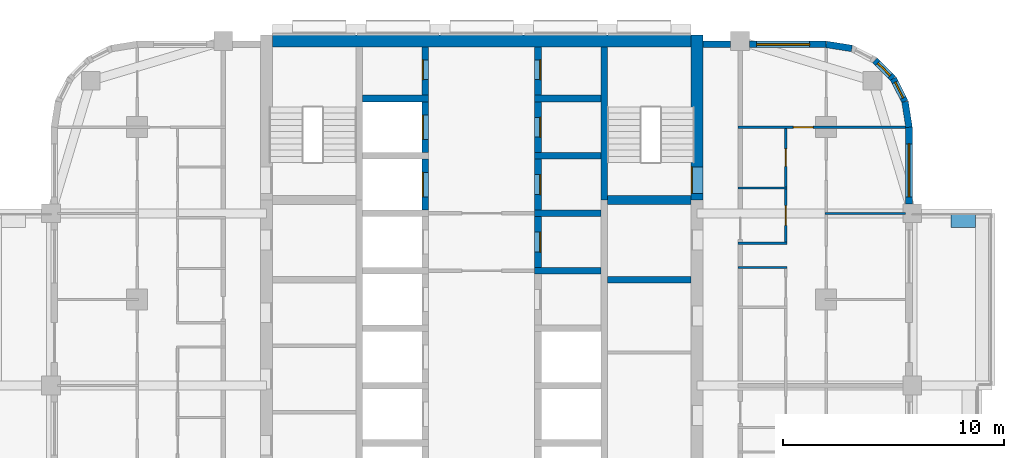
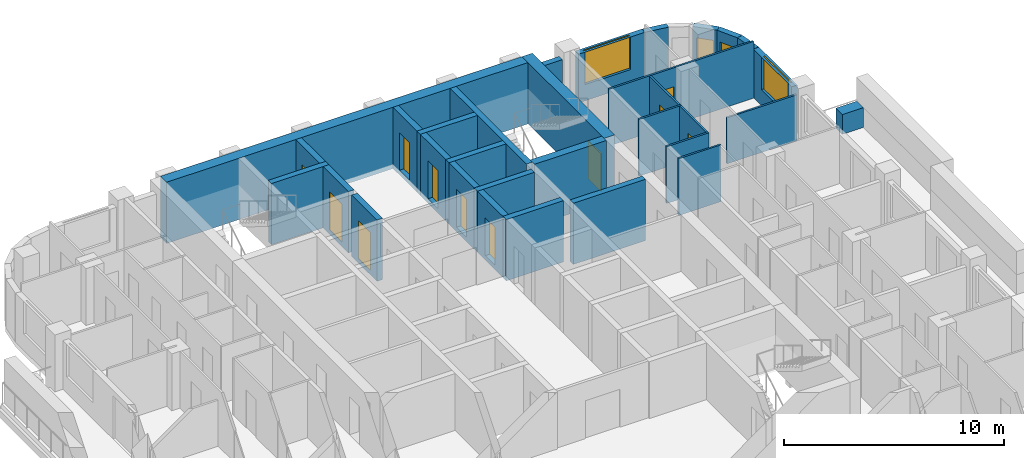
# One storey, part 9 of 14: 31 walls, 11 doors, 4 windows, 15 openings.
"""IFC4 building model written with IfcOpenShell, lengths in metres."""

from ifc_helpers import new_model, si_unit, direction, frame, frame_2d, origin, place, context, subcontext, project, spatial, rectangle, extrude, material, layer, layer_set, type_object, element, fill, save


model = new_model("IFC4")

# Units and contexts
model_context = context("Model", 3, precision=1e-05, world=origin(), true_north=direction((0.0, 1.0)))
body_context = subcontext(model_context, "Body", "Model", "MODEL_VIEW")
ifc_project = project(units=[si_unit("LENGTHUNIT", "METRE"), si_unit("AREAUNIT", "SQUARE_METRE"), si_unit("VOLUMEUNIT", "CUBIC_METRE"), si_unit("PLANEANGLEUNIT", "RADIAN"), si_unit("MASSUNIT", "GRAM", prefix="KILO")], contexts=[model_context])

# Site, building, storey
site_placement = place(None, origin())
site = spatial("IfcSite", under=ifc_project, at=site_placement, CompositionType="ELEMENT")
building_placement = place(site_placement, origin())
building = spatial("IfcBuilding", under=site, at=building_placement, Name="Ludao Terraces", CompositionType="ELEMENT")
storey_placement = place(building_placement, frame((0.0, 0.0, 103.300048828125)))
storey = spatial("IfcBuildingStorey", under=building, at=storey_placement, Name="L28", CompositionType="ELEMENT", Elevation=103.300048828125)

# Wall, opening, door
ifc_material_1 = material(Name="Concrete C60", Category="concrete")
ifc_layer_1 = layer(ifc_material_1, 0.550048828125)
ifc_layer_set_1 = layer_set([ifc_layer_1], Name="Core wall 550 C60")
wall_type_1 = type_object("IfcWallType", Name="Core wall 550 C60", PredefinedType="SOLIDWALL", material=ifc_layer_set_1)
wall_1_placement = place(storey_placement, frame((94.75, 77.300048828125, -0.25), z_axis=(0.0, 0.0, 1.0), x_axis=(0.0, 1.0, 0.0)))
wall_1 = element("IfcWall", 1, at=wall_1_placement, inside=storey, type_object=wall_type_1, Name="Core wall L28 outer-E-S2", PredefinedType="SOLIDWALL", context=body_context, shape_type="SweptSolid", body=[
    extrude(rectangle(XDim=7.474853515625, YDim=0.550048828125, at=frame_2d((3.7373046875, 0.0))), origin(), (0.0, 0.0, 1.0), 3.39990234375),
])
opening_1_placement = place(wall_1_placement, frame((0.300048828125, 0.0, 0.25)))
opening_1 = element("IfcOpeningElement", 2, at=opening_1_placement, cuts=wall_1, Name="Opening R08-089", PredefinedType="OPENING", context=body_context, shape_type="SweptSolid", body=[
    extrude(rectangle(XDim=1.199951171875, YDim=2.10009765625, at=frame_2d((0.60009765625, 1.050048828125))), frame((0.0, 0.28515625, 0.0), z_axis=(0.0, -1.0, 0.0), x_axis=(1.0, 0.0, 0.0)), (0.0, 0.0, 1.0), 0.570068359375),
])
ifc_material_2 = material(Name="Steel Q235", Category="steel")
door_type_1 = type_object("IfcDoorType", Name="INT Stair door 1200", OperationType="DOUBLE_DOOR_SINGLE_SWING", PredefinedType="DOOR", material=ifc_material_2)
door_1_placement = place(opening_1_placement, origin())
door_1 = element("IfcDoor", 3, at=door_1_placement, inside=storey, type_object=door_type_1, Name="DOOR 089", OperationType="DOUBLE_DOOR_SINGLE_SWING", OverallHeight=2.10009765625, OverallWidth=1.199951171875, PredefinedType="DOOR", context=body_context, shape_type="SweptSolid", body=[
    extrude(rectangle(XDim=1.199951171875, YDim=2.10009765625, at=frame_2d((0.60009765625, 1.050048828125))), frame((0.0, 0.26025390625, 0.0), z_axis=(0.0, -1.0, 0.0), x_axis=(1.0, 0.0, 0.0)), (0.0, 0.0, 1.0), 0.050048828125),
])
fill(opening_1, door_1)

# Walls
wall_2_placement = place(storey_placement, frame((75.52490234375, 84.5, -0.25), z_axis=(0.0, 0.0, 1.0), x_axis=(1.0, 0.0, 0.0)))
element("IfcWall", 4, at=wall_2_placement, inside=storey, type_object=wall_type_1, Name="Core wall L28 outer-N", PredefinedType="SOLIDWALL", context=body_context, shape_type="SweptSolid", body=[
    extrude(rectangle(XDim=18.9501953125, YDim=0.550048828125, at=frame_2d((9.47509765625, 0.0))), origin(), (0.0, 0.0, 1.0), 3.39990234375),
])
ifc_material_3 = material(Name="Concrete C40", Category="concrete")
ifc_layer_2 = layer(ifc_material_3, 0.60009765625)
ifc_layer_set_2 = layer_set([ifc_layer_2], Name="ENV Planter trough 600")
wall_type_2 = type_object("IfcWallType", Name="ENV Planter trough 600", PredefinedType="USERDEFINED", material=ifc_layer_set_2)
wall_3_placement = place(storey_placement, frame((107.35009765625, 76.35009765625, 0.0), z_axis=(0.0, 0.0, 1.0), x_axis=(-1.0, 0.0, 0.0)))
element("IfcWall", 5, at=wall_3_placement, inside=storey, type_object=wall_type_2, Name="PL-L28-E3-SB", ObjectType="PLANTER", PredefinedType="USERDEFINED", context=body_context, shape_type="SweptSolid", body=[
    extrude(rectangle(XDim=1.10009765625, YDim=0.60009765625, at=frame_2d((0.550048828125, 0.0))), origin(), (0.0, 0.0, 1.0), 1.099853515625),
])

# Wall, opening, window
ifc_material_4 = material(Name="Granite cladding", Category="masonry")
ifc_layer_3 = layer(ifc_material_4, 0.0400390625, Category="stone")
ifc_material_5 = material(Name="Mineral wool")
ifc_layer_4 = layer(ifc_material_5, 0.06005859375)
ifc_layer_5 = layer(ifc_material_3, 0.199951171875, Category="concrete")
ifc_layer_set_3 = layer_set([ifc_layer_3, ifc_layer_4, ifc_layer_5], Name="ENV Stone-clad wall 300")
wall_type_3 = type_object("IfcWallType", Name="ENV Stone-clad wall 300", PredefinedType="SOLIDWALL", material=ifc_layer_set_3)
wall_4_placement = place(storey_placement, frame((104.35009765625, 77.125, 0.0), z_axis=(0.0, 0.0, 1.0), x_axis=(0.0, 1.0, 0.0)))
wall_4 = element("IfcWall", 6, at=wall_4_placement, inside=storey, type_object=wall_type_3, Name="EW-L28-E5", PredefinedType="SOLIDWALL", context=body_context, shape_type="SweptSolid", body=[
    extrude(rectangle(XDim=3.47509765625, YDim=0.300048828125, at=frame_2d((1.737548828125, 0.0))), origin(), (0.0, 0.0, 1.0), 2.699951171875),
])
opening_2_placement = place(wall_4_placement, frame((0.324951171875, 0.0, 0.89990234375)))
opening_2 = element("IfcOpeningElement", 7, at=opening_2_placement, cuts=wall_4, Name="Opening W1", PredefinedType="OPENING", context=body_context, shape_type="SweptSolid", body=[
    extrude(rectangle(XDim=2.39990234375, YDim=1.800048828125, at=frame_2d((1.199951171875, 0.89990234375))), frame((0.0, 0.16015625, 0.0), z_axis=(0.0, -1.0, 0.0), x_axis=(1.0, 0.0, 0.0)), (0.0, 0.0, 1.0), 0.320068359375),
])
ifc_material_6 = material(Name="Clear glass in aluminium frame", Category="aluminium")
ifc_layer_6 = layer(ifc_material_6, 0.06005859375)
ifc_layer_set_4 = layer_set([ifc_layer_6], Name="ENV Window W1 2400x1800")
window_type_1 = type_object("IfcWindowType", Name="ENV Window W1 2400x1800", PartitioningType="DOUBLE_PANEL_VERTICAL", PredefinedType="WINDOW", material=ifc_layer_set_4)
window_1_placement = place(opening_2_placement, origin())
window_1 = element("IfcWindow", 8, at=window_1_placement, inside=storey, type_object=window_type_1, Name="W-L28-E5-1", OverallHeight=1.800048828125, OverallWidth=2.39990234375, PartitioningType="DOUBLE_PANEL_VERTICAL", PredefinedType="WINDOW", context=body_context, shape_type="SweptSolid", body=[
    extrude(rectangle(XDim=2.39990234375, YDim=1.800048828125, at=frame_2d((1.199951171875, 0.89990234375))), frame((0.0, 0.030029296875, 0.0), z_axis=(0.0, -1.0, 0.0), x_axis=(1.0, 0.0, 0.0)), (0.0, 0.0, 1.0), 0.06005859375),
])
fill(opening_2, window_1)

# Wall
wall_5_placement = place(storey_placement, frame((95.02490234375, 84.35009765625, 0.0), z_axis=(0.0, 0.0, 1.0), x_axis=(1.0, 0.0, 0.0)))
element("IfcWall", 9, at=wall_5_placement, inside=storey, type_object=wall_type_3, Name="EW-L28-N3", PredefinedType="SOLIDWALL", context=body_context, shape_type="SweptSolid", body=[
    extrude(rectangle(XDim=1.25, YDim=0.300048828125, at=frame_2d((0.625, 0.0))), origin(), (0.0, 0.0, 1.0), 2.699951171875),
])

# Wall, opening, window
wall_6_placement = place(storey_placement, frame((97.125, 84.35009765625, 0.0), z_axis=(0.0, 0.0, 1.0), x_axis=(1.0, 0.0, 0.0)))
wall_6 = element("IfcWall", 10, at=wall_6_placement, inside=storey, type_object=wall_type_3, Name="EW-L28-N4", PredefinedType="SOLIDWALL", context=body_context, shape_type="SweptSolid", body=[
    extrude(rectangle(XDim=3.47509765625, YDim=0.300048828125, at=frame_2d((1.737548828125, 0.0))), origin(), (0.0, 0.0, 1.0), 2.699951171875),
])
opening_3_placement = place(wall_6_placement, frame((0.324951171875, 0.0, 0.89990234375)))
opening_3 = element("IfcOpeningElement", 11, at=opening_3_placement, cuts=wall_6, Name="Opening W1", PredefinedType="OPENING", context=body_context, shape_type="SweptSolid", body=[
    extrude(rectangle(XDim=2.39990234375, YDim=1.800048828125, at=frame_2d((1.199951171875, 0.89990234375))), frame((0.0, 0.16015625, 0.0), z_axis=(0.0, -1.0, 0.0), x_axis=(1.0, 0.0, 0.0)), (0.0, 0.0, 1.0), 0.320068359375),
])
window_2_placement = place(opening_3_placement, origin())
window_2 = element("IfcWindow", 12, at=window_2_placement, inside=storey, type_object=window_type_1, Name="W-L28-N4-1", OverallHeight=1.800048828125, OverallWidth=2.39990234375, PartitioningType="DOUBLE_PANEL_VERTICAL", PredefinedType="WINDOW", context=body_context, shape_type="SweptSolid", body=[
    extrude(rectangle(XDim=2.39990234375, YDim=1.800048828125, at=frame_2d((1.199951171875, 0.89990234375))), frame((0.0, 0.030029296875, 0.0), z_axis=(0.0, -1.0, 0.0), x_axis=(1.0, 0.0, 0.0)), (0.0, 0.0, 1.0), 0.06005859375),
])
fill(opening_3, window_2)

# Wall
wall_7_placement = place(storey_placement, frame((104.35009765625, 80.60009765625, 0.0), z_axis=(0.0, 0.0, 1.0), x_axis=(-0.156496880861, 0.987678452879, 0.0)))
element("IfcWall", 13, at=wall_7_placement, inside=storey, type_object=wall_type_3, Name="EW-L28-NE1", PredefinedType="SOLIDWALL", context=body_context, shape_type="SweptSolid", body=[
    extrude(rectangle(XDim=1.173095703125, YDim=0.300048828125, at=frame_2d((0.58642578125, 0.0))), origin(), (0.0, 0.0, 1.0), 2.699951171875),
])

# Wall, opening, window
wall_8_placement = place(storey_placement, frame((104.16650390625, 81.7587890625, 0.0), z_axis=(0.0, 0.0, 1.0), x_axis=(-0.454025524128, 0.890988677504, 0.0)))
wall_8 = element("IfcWall", 14, at=wall_8_placement, inside=storey, type_object=wall_type_3, Name="EW-L28-NE2", PredefinedType="SOLIDWALL", context=body_context, shape_type="SweptSolid", body=[
    extrude(rectangle(XDim=1.17333984375, YDim=0.300048828125, at=frame_2d((0.586669921875, 0.0))), origin(), (0.0, 0.0, 1.0), 2.699951171875),
])
opening_4_placement = place(wall_8_placement, frame((0.1865234375, 0.0, 0.89990234375)))
opening_4 = element("IfcOpeningElement", 15, at=opening_4_placement, cuts=wall_8, Name="Opening W3", PredefinedType="OPENING", context=body_context, shape_type="SweptSolid", body=[
    extrude(rectangle(XDim=0.800048828125, YDim=1.199951171875, at=frame_2d((0.39990234375, 0.60009765625))), frame((0.0, 0.16015625, 0.0), z_axis=(0.0, -1.0, 0.0), x_axis=(1.0, 0.0, 0.0)), (0.0, 0.0, 1.0), 0.320068359375),
])
ifc_layer_7 = layer(ifc_material_6, 0.06005859375)
ifc_layer_set_5 = layer_set([ifc_layer_7], Name="ENV Window W3 800x1200")
window_type_2 = type_object("IfcWindowType", Name="ENV Window W3 800x1200", PartitioningType="SINGLE_PANEL", PredefinedType="WINDOW", material=ifc_layer_set_5)
window_3_placement = place(opening_4_placement, origin())
window_3 = element("IfcWindow", 16, at=window_3_placement, inside=storey, type_object=window_type_2, Name="W-L28-NE2", OverallHeight=1.199951171875, OverallWidth=0.800048828125, PartitioningType="SINGLE_PANEL", PredefinedType="WINDOW", context=body_context, shape_type="SweptSolid", body=[
    extrude(rectangle(XDim=0.800048828125, YDim=1.199951171875, at=frame_2d((0.39990234375, 0.60009765625))), frame((0.0, 0.030029296875, 0.0), z_axis=(0.0, -1.0, 0.0), x_axis=(1.0, 0.0, 0.0)), (0.0, 0.0, 1.0), 0.06005859375),
])
fill(opening_4, window_3)

wall_9_placement = place(storey_placement, frame((103.6337890625, 82.80419921875, 0.0), z_axis=(0.0, 0.0, 1.0), x_axis=(-0.707106781187, 0.707106781187, 0.0)))
wall_9 = element("IfcWall", 17, at=wall_9_placement, inside=storey, type_object=wall_type_3, Name="EW-L28-NE3", PredefinedType="SOLIDWALL", context=body_context, shape_type="SweptSolid", body=[
    extrude(rectangle(XDim=1.173095703125, YDim=0.300048828125, at=frame_2d((0.58642578125, 0.0))), origin(), (0.0, 0.0, 1.0), 2.699951171875),
])
opening_5_placement = place(wall_9_placement, frame((0.1865234375, 0.0, 0.89990234375)))
opening_5 = element("IfcOpeningElement", 18, at=opening_5_placement, cuts=wall_9, Name="Opening W3", PredefinedType="OPENING", context=body_context, shape_type="SweptSolid", body=[
    extrude(rectangle(XDim=0.800048828125, YDim=1.199951171875, at=frame_2d((0.39990234375, 0.60009765625))), frame((0.0, 0.16015625, 0.0), z_axis=(0.0, -1.0, 0.0), x_axis=(1.0, 0.0, 0.0)), (0.0, 0.0, 1.0), 0.320068359375),
])
window_4_placement = place(opening_5_placement, origin())
window_4 = element("IfcWindow", 19, at=window_4_placement, inside=storey, type_object=window_type_2, Name="W-L28-NE3", OverallHeight=1.199951171875, OverallWidth=0.800048828125, PartitioningType="SINGLE_PANEL", PredefinedType="WINDOW", context=body_context, shape_type="SweptSolid", body=[
    extrude(rectangle(XDim=0.800048828125, YDim=1.199951171875, at=frame_2d((0.39990234375, 0.60009765625))), frame((0.0, 0.030029296875, 0.0), z_axis=(0.0, -1.0, 0.0), x_axis=(1.0, 0.0, 0.0)), (0.0, 0.0, 1.0), 0.06005859375),
])
fill(opening_5, window_4)

# Walls
wall_10_placement = place(storey_placement, frame((101.7587890625, 84.16650390625, 0.0), z_axis=(0.0, 0.0, 1.0), x_axis=(-0.987678452879, 0.156496880861, 0.0)))
element("IfcWall", 20, at=wall_10_placement, inside=storey, type_object=wall_type_3, Name="EW-L28-NE5", PredefinedType="SOLIDWALL", context=body_context, shape_type="SweptSolid", body=[
    extrude(rectangle(XDim=1.173095703125, YDim=0.300048828125, at=frame_2d((0.58642578125, 0.0))), origin(), (0.0, 0.0, 1.0), 2.699951171875),
])
ifc_material_7 = material(Name="Gypsum plasterboard", Category="gypsum")
ifc_layer_8 = layer(ifc_material_7, 0.012451171875, Category="gypsum")
ifc_layer_9 = layer(ifc_material_5, 0.06005859375, Name="insulation")
ifc_layer_10 = layer(ifc_material_2, 0.014892578125, Name="stud")
ifc_layer_11 = layer(ifc_material_7, 0.012451171875, Category="gypsum")
ifc_layer_set_6 = layer_set([ifc_layer_8, ifc_layer_9, ifc_layer_10, ifc_layer_11], Name="INT Partition 100")
wall_type_4 = type_object("IfcWallType", Name="INT Partition 100", PredefinedType="PARTITIONING", material=ifc_layer_set_6)
for number, where, z_axis, x_axis, name in (
    (21, (96.60009765625, 74.25, 0.0), (0.0, 0.0, 1.0), (1.0, 0.0, 0.0), "PW-L28-PW040"),
    (22, (96.60009765625, 75.35009765625, 0.0), (0.0, 0.0, 1.0), (1.0, 0.0, 0.0), "PW-L28-PW041"),
):
    element("IfcWall", number, at=place(storey_placement, frame(where, z_axis=z_axis, x_axis=x_axis)), inside=storey, type_object=wall_type_4, Name=name, PredefinedType="PARTITIONING", context=body_context, shape_type="SweptSolid", body=[
        extrude(rectangle(XDim=2.219970703125, YDim=0.10009765625, at=frame_2d((1.10986328125, 0.0))), origin(), (0.0, 0.0, 1.0), 3.14990234375),
    ])
wall_11_placement = place(storey_placement, frame((100.550048828125, 76.699951171875, 0.0), z_axis=(0.0, 0.0, 1.0), x_axis=(1.0, 0.0, 0.0)))
element("IfcWall", 23, at=wall_11_placement, inside=storey, type_object=wall_type_4, Name="PW-L28-PW045", PredefinedType="PARTITIONING", context=body_context, shape_type="SweptSolid", body=[
    extrude(rectangle(XDim=3.650146484375, YDim=0.10009765625, at=frame_2d((1.8251953125, 0.0))), origin(), (0.0, 0.0, 1.0), 2.5498046875),
])
wall_12_placement = place(storey_placement, frame((96.60009765625, 77.85009765625, 0.0), z_axis=(0.0, 0.0, 1.0), x_axis=(1.0, 0.0, 0.0)))
element("IfcWall", 24, at=wall_12_placement, inside=storey, type_object=wall_type_4, Name="PW-L28-PW046", PredefinedType="PARTITIONING", context=body_context, shape_type="SweptSolid", body=[
    extrude(rectangle(XDim=2.219970703125, YDim=0.10009765625, at=frame_2d((1.10986328125, 0.0))), origin(), (0.0, 0.0, 1.0), 3.14990234375),
])

# Wall, opening, door
wall_13_placement = place(storey_placement, frame((96.60009765625, 80.60009765625, 0.0), z_axis=(0.0, 0.0, 1.0), x_axis=(1.0, 0.0, 0.0)))
wall_13 = element("IfcWall", 25, at=wall_13_placement, inside=storey, type_object=wall_type_4, Name="PW-L28-PW049", PredefinedType="PARTITIONING", context=body_context, shape_type="SweptSolid", body=[
    extrude(rectangle(XDim=7.60009765625, YDim=0.10009765625, at=frame_2d((3.800048828125, 0.0))), origin(), (0.0, 0.0, 1.0), 3.14990234375),
])
opening_6_placement = place(wall_13_placement, frame((2.510009765625, 0.0, 0.0)))
opening_6 = element("IfcOpeningElement", 26, at=opening_6_placement, cuts=wall_13, Name="Opening R08-097", PredefinedType="OPENING", context=body_context, shape_type="SweptSolid", body=[
    extrude(rectangle(XDim=0.89990234375, YDim=2.10009765625, at=frame_2d((0.449951171875, 1.050048828125))), frame((0.0, 0.06005859375, 0.0), z_axis=(0.0, -1.0, 0.0), x_axis=(1.0, 0.0, 0.0)), (0.0, 0.0, 1.0), 0.1201171875),
])
ifc_material_8 = material(Name="Timber door leaf", Category="wood")
door_type_2 = type_object("IfcDoorType", Name="INT Room door 900", OperationType="SINGLE_SWING_LEFT", PredefinedType="DOOR", material=ifc_material_8)
door_2_placement = place(opening_6_placement, origin())
door_2 = element("IfcDoor", 27, at=door_2_placement, inside=storey, type_object=door_type_2, Name="DOOR 097", OperationType="SINGLE_SWING_RIGHT", OverallHeight=2.10009765625, OverallWidth=0.89990234375, PredefinedType="DOOR", context=body_context, shape_type="SweptSolid", body=[
    extrude(rectangle(XDim=0.89990234375, YDim=2.10009765625, at=frame_2d((0.449951171875, 1.050048828125))), frame((0.0, 0.02490234375, 0.0), z_axis=(0.0, -1.0, 0.0), x_axis=(1.0, 0.0, 0.0)), (0.0, 0.0, 1.0), 0.050048828125),
])
fill(opening_6, door_2)

# Wall, openings, doors
wall_14_placement = place(storey_placement, frame((98.77001953125, 75.400146484375, 0.0), z_axis=(0.0, 0.0, 1.0), x_axis=(0.0, 1.0, 0.0)))
wall_14 = element("IfcWall", 28, at=wall_14_placement, inside=storey, type_object=wall_type_4, Name="PW-L28-PW076", PredefinedType="PARTITIONING", context=body_context, shape_type="SweptSolid", body=[
    extrude(rectangle(XDim=5.14990234375, YDim=0.10009765625, at=frame_2d((2.574951171875, 0.0))), origin(), (0.0, 0.0, 1.0), 3.14990234375),
])
opening_7_placement = place(wall_14_placement, frame((0.75, 0.0, 0.0)))
opening_7 = element("IfcOpeningElement", 29, at=opening_7_placement, cuts=wall_14, Name="Opening R08-083", PredefinedType="OPENING", context=body_context, shape_type="SweptSolid", body=[
    extrude(rectangle(XDim=0.89990234375, YDim=2.10009765625, at=frame_2d((0.449951171875, 1.050048828125))), frame((0.0, 0.06005859375, 0.0), z_axis=(0.0, -1.0, 0.0), x_axis=(1.0, 0.0, 0.0)), (0.0, 0.0, 1.0), 0.1201171875),
])
opening_8_placement = place(wall_14_placement, frame((3.425048828125, 0.0, 0.0)))
opening_8 = element("IfcOpeningElement", 30, at=opening_8_placement, cuts=wall_14, Name="Opening R08-092", PredefinedType="OPENING", context=body_context, shape_type="SweptSolid", body=[
    extrude(rectangle(XDim=0.800048828125, YDim=2.10009765625, at=frame_2d((0.39990234375, 1.050048828125))), frame((0.0, 0.06005859375, 0.0), z_axis=(0.0, -1.0, 0.0), x_axis=(1.0, 0.0, 0.0)), (0.0, 0.0, 1.0), 0.1201171875),
])
door_type_3 = type_object("IfcDoorType", Name="INT Bathroom door 900", OperationType="SINGLE_SWING_LEFT", PredefinedType="DOOR", material=ifc_material_8)
door_3_placement = place(opening_7_placement, origin())
door_3 = element("IfcDoor", 31, at=door_3_placement, inside=storey, type_object=door_type_3, Name="DOOR 083", OperationType="SINGLE_SWING_LEFT", OverallHeight=2.10009765625, OverallWidth=0.89990234375, PredefinedType="DOOR", context=body_context, shape_type="SweptSolid", body=[
    extrude(rectangle(XDim=0.89990234375, YDim=2.10009765625, at=frame_2d((0.449951171875, 1.050048828125))), frame((0.0, 0.02490234375, 0.0), z_axis=(0.0, -1.0, 0.0), x_axis=(1.0, 0.0, 0.0)), (0.0, 0.0, 1.0), 0.050048828125),
])
fill(opening_7, door_3)
door_type_4 = type_object("IfcDoorType", Name="INT Store door 800", OperationType="SINGLE_SWING_LEFT", PredefinedType="DOOR", material=ifc_material_8)
door_4_placement = place(opening_8_placement, origin())
door_4 = element("IfcDoor", 32, at=door_4_placement, inside=storey, type_object=door_type_4, Name="DOOR 092", OperationType="SINGLE_SWING_RIGHT", OverallHeight=2.10009765625, OverallWidth=0.800048828125, PredefinedType="DOOR", context=body_context, shape_type="SweptSolid", body=[
    extrude(rectangle(XDim=0.800048828125, YDim=2.10009765625, at=frame_2d((0.39990234375, 1.050048828125))), frame((0.0, 0.02490234375, 0.0), z_axis=(0.0, -1.0, 0.0), x_axis=(1.0, 0.0, 0.0)), (0.0, 0.0, 1.0), 0.050048828125),
])
fill(opening_8, door_4)

# Wall
ifc_material_9 = material(Name="Concrete C55", Category="concrete")
ifc_layer_12 = layer(ifc_material_9, 0.300048828125)
ifc_layer_set_7 = layer_set([ifc_layer_12], Name="Shaft wall 300 C55")
wall_type_5 = type_object("IfcWallType", Name="Shaft wall 300 C55", PredefinedType="SOLIDWALL", material=ifc_layer_set_7)
wall_15_placement = place(storey_placement, frame((90.550048828125, 77.300048828125, -0.25), z_axis=(0.0, 0.0, 1.0), x_axis=(0.0, 1.0, 0.0)))
element("IfcWall", 33, at=wall_15_placement, inside=storey, type_object=wall_type_5, Name="Core wall L28 back-E-S2", PredefinedType="SOLIDWALL", context=body_context, shape_type="SweptSolid", body=[
    extrude(rectangle(XDim=6.925048828125, YDim=0.300048828125, at=frame_2d((3.46240234375, 0.0))), origin(), (0.0, 0.0, 1.0), 3.39990234375),
])

# Wall, opening, door
wall_16_placement = place(storey_placement, frame((82.449951171875, 76.85009765625, -0.25), z_axis=(0.0, 0.0, 1.0), x_axis=(0.0, 1.0, 0.0)))
wall_16 = element("IfcWall", 34, at=wall_16_placement, inside=storey, type_object=wall_type_5, Name="Core wall L28 front-W7", PredefinedType="SOLIDWALL", context=body_context, shape_type="SweptSolid", body=[
    extrude(rectangle(XDim=2.2998046875, YDim=0.300048828125, at=frame_2d((1.14990234375, 0.0))), origin(), (0.0, 0.0, 1.0), 3.39990234375),
])
opening_9_placement = place(wall_16_placement, frame((0.60009765625, 0.0, 0.25)))
opening_9 = element("IfcOpeningElement", 35, at=opening_9_placement, cuts=wall_16, Name="Opening LD-FF1", PredefinedType="OPENING", context=body_context, shape_type="SweptSolid", body=[
    extrude(rectangle(XDim=1.10009765625, YDim=2.10009765625, at=frame_2d((0.550048828125, 1.050048828125))), frame((0.0, 0.16015625, 0.0), z_axis=(0.0, -1.0, 0.0), x_axis=(1.0, 0.0, 0.0)), (0.0, 0.0, 1.0), 0.320068359375),
])
ifc_material_10 = material(Name="Stainless steel 304", Category="steel")
door_type_5 = type_object("IfcDoorType", Name="INT Lift landing door 1100", OperationType="SLIDING_TO_LEFT", PredefinedType="DOOR", material=ifc_material_10)
door_5_placement = place(opening_9_placement, origin())
door_5 = element("IfcDoor", 36, at=door_5_placement, inside=storey, type_object=door_type_5, Name="LANDING DOOR FF1 L28", OperationType="SLIDING_TO_LEFT", OverallHeight=2.10009765625, OverallWidth=1.10009765625, PredefinedType="DOOR", context=body_context, shape_type="SweptSolid", body=[
    extrude(rectangle(XDim=1.10009765625, YDim=2.10009765625, at=frame_2d((0.550048828125, 1.050048828125))), frame((0.0, 0.13525390625, 0.0), z_axis=(0.0, -1.0, 0.0), x_axis=(1.0, 0.0, 0.0)), (0.0, 0.0, 1.0), 0.050048828125),
])
fill(opening_9, door_5)

wall_17_placement = place(storey_placement, frame((82.449951171875, 79.449951171875, -0.25), z_axis=(0.0, 0.0, 1.0), x_axis=(0.0, 1.0, 0.0)))
wall_17 = element("IfcWall", 37, at=wall_17_placement, inside=storey, type_object=wall_type_5, Name="Core wall L28 front-W8", PredefinedType="SOLIDWALL", context=body_context, shape_type="SweptSolid", body=[
    extrude(rectangle(XDim=2.300048828125, YDim=0.300048828125, at=frame_2d((1.14990234375, 0.0))), origin(), (0.0, 0.0, 1.0), 3.39990234375),
])
opening_10_placement = place(wall_17_placement, frame((0.60009765625, 0.0, 0.25)))
opening_10 = element("IfcOpeningElement", 38, at=opening_10_placement, cuts=wall_17, Name="Opening LD-FF2", PredefinedType="OPENING", context=body_context, shape_type="SweptSolid", body=[
    extrude(rectangle(XDim=1.10009765625, YDim=2.10009765625, at=frame_2d((0.550048828125, 1.050048828125))), frame((0.0, 0.16015625, 0.0), z_axis=(0.0, -1.0, 0.0), x_axis=(1.0, 0.0, 0.0)), (0.0, 0.0, 1.0), 0.320068359375),
])
door_6_placement = place(opening_10_placement, origin())
door_6 = element("IfcDoor", 39, at=door_6_placement, inside=storey, type_object=door_type_5, Name="LANDING DOOR FF2 L28", OperationType="SLIDING_TO_LEFT", OverallHeight=2.10009765625, OverallWidth=1.10009765625, PredefinedType="DOOR", context=body_context, shape_type="SweptSolid", body=[
    extrude(rectangle(XDim=1.10009765625, YDim=2.10009765625, at=frame_2d((0.550048828125, 1.050048828125))), frame((0.0, 0.13525390625, 0.0), z_axis=(0.0, -1.0, 0.0), x_axis=(1.0, 0.0, 0.0)), (0.0, 0.0, 1.0), 0.050048828125),
])
fill(opening_10, door_6)

# Wall
wall_18_placement = place(storey_placement, frame((79.60009765625, 81.89990234375, -0.25), z_axis=(0.0, 0.0, 1.0), x_axis=(1.0, 0.0, 0.0)))
element("IfcWall", 40, at=wall_18_placement, inside=storey, type_object=wall_type_5, Name="Core wall L28 div-W9", PredefinedType="SOLIDWALL", context=body_context, shape_type="SweptSolid", body=[
    extrude(rectangle(XDim=3.0, YDim=0.300048828125, at=frame_2d((1.5, 0.0))), origin(), (0.0, 0.0, 1.0), 3.39990234375),
])

# Wall, opening, door
wall_19_placement = place(storey_placement, frame((82.449951171875, 82.050048828125, -0.25), z_axis=(0.0, 0.0, 1.0), x_axis=(0.0, 1.0, 0.0)))
wall_19 = element("IfcWall", 41, at=wall_19_placement, inside=storey, type_object=wall_type_5, Name="Core wall L28 front-W9", PredefinedType="SOLIDWALL", context=body_context, shape_type="SweptSolid", body=[
    extrude(rectangle(XDim=2.175048828125, YDim=0.300048828125, at=frame_2d((1.08740234375, 0.0))), origin(), (0.0, 0.0, 1.0), 3.39990234375),
])
opening_11_placement = place(wall_19_placement, frame((0.699951171875, 0.0, 0.25)))
opening_11 = element("IfcOpeningElement", 42, at=opening_11_placement, cuts=wall_19, Name="Opening R08-100", PredefinedType="OPENING", context=body_context, shape_type="SweptSolid", body=[
    extrude(rectangle(XDim=0.89990234375, YDim=2.10009765625, at=frame_2d((0.449951171875, 1.050048828125))), frame((0.0, 0.16015625, 0.0), z_axis=(0.0, -1.0, 0.0), x_axis=(1.0, 0.0, 0.0)), (0.0, 0.0, 1.0), 0.320068359375),
])
door_7_placement = place(opening_11_placement, origin())
door_7 = element("IfcDoor", 43, at=door_7_placement, inside=storey, type_object=door_type_2, Name="DOOR 100", OperationType="SINGLE_SWING_RIGHT", OverallHeight=2.10009765625, OverallWidth=0.89990234375, PredefinedType="DOOR", context=body_context, shape_type="SweptSolid", body=[
    extrude(rectangle(XDim=0.89990234375, YDim=2.10009765625, at=frame_2d((0.449951171875, 1.050048828125))), frame((0.0, 0.13525390625, 0.0), z_axis=(0.0, -1.0, 0.0), x_axis=(1.0, 0.0, 0.0)), (0.0, 0.0, 1.0), 0.050048828125),
])
fill(opening_11, door_7)

# Wall
wall_20_placement = place(storey_placement, frame((87.39990234375, 74.10009765625, -0.25), z_axis=(0.0, 0.0, 1.0), x_axis=(1.0, 0.0, 0.0)))
element("IfcWall", 44, at=wall_20_placement, inside=storey, type_object=wall_type_5, Name="Core wall L28 div-E6", PredefinedType="SOLIDWALL", context=body_context, shape_type="SweptSolid", body=[
    extrude(rectangle(XDim=3.0, YDim=0.300048828125, at=frame_2d((1.5, 0.0))), origin(), (0.0, 0.0, 1.0), 3.39990234375),
])

# Wall, opening, door
wall_21_placement = place(storey_placement, frame((87.550048828125, 74.25, -0.25), z_axis=(0.0, 0.0, 1.0), x_axis=(0.0, 1.0, 0.0)))
wall_21 = element("IfcWall", 45, at=wall_21_placement, inside=storey, type_object=wall_type_5, Name="Core wall L28 front-E6", PredefinedType="SOLIDWALL", context=body_context, shape_type="SweptSolid", body=[
    extrude(rectangle(XDim=2.300048828125, YDim=0.300048828125, at=frame_2d((1.14990234375, 0.0))), origin(), (0.0, 0.0, 1.0), 3.39990234375),
])
opening_12_placement = place(wall_21_placement, frame((0.699951171875, 0.0, 0.25)))
opening_12 = element("IfcOpeningElement", 46, at=opening_12_placement, cuts=wall_21, Name="Opening R08-079", PredefinedType="OPENING", context=body_context, shape_type="SweptSolid", body=[
    extrude(rectangle(XDim=0.89990234375, YDim=2.10009765625, at=frame_2d((0.449951171875, 1.050048828125))), frame((0.0, 0.16015625, 0.0), z_axis=(0.0, -1.0, 0.0), x_axis=(1.0, 0.0, 0.0)), (0.0, 0.0, 1.0), 0.320068359375),
])
door_8_placement = place(opening_12_placement, origin())
door_8 = element("IfcDoor", 47, at=door_8_placement, inside=storey, type_object=door_type_2, Name="DOOR 079", OperationType="SINGLE_SWING_LEFT", OverallHeight=2.10009765625, OverallWidth=0.89990234375, PredefinedType="DOOR", context=body_context, shape_type="SweptSolid", body=[
    extrude(rectangle(XDim=0.89990234375, YDim=2.10009765625, at=frame_2d((0.449951171875, 1.050048828125))), frame((0.0, -0.0849609375, 0.0), z_axis=(0.0, -1.0, 0.0), x_axis=(1.0, 0.0, 0.0)), (0.0, 0.0, 1.0), 0.050048828125),
])
fill(opening_12, door_8)

# Wall
wall_22_placement = place(storey_placement, frame((87.39990234375, 76.699951171875, -0.25), z_axis=(0.0, 0.0, 1.0), x_axis=(1.0, 0.0, 0.0)))
element("IfcWall", 48, at=wall_22_placement, inside=storey, type_object=wall_type_5, Name="Core wall L28 div-E7", PredefinedType="SOLIDWALL", context=body_context, shape_type="SweptSolid", body=[
    extrude(rectangle(XDim=3.0, YDim=0.300048828125, at=frame_2d((1.5, 0.0))), origin(), (0.0, 0.0, 1.0), 3.39990234375),
])

# Wall, opening, door
wall_23_placement = place(storey_placement, frame((87.550048828125, 76.85009765625, -0.25), z_axis=(0.0, 0.0, 1.0), x_axis=(0.0, 1.0, 0.0)))
wall_23 = element("IfcWall", 49, at=wall_23_placement, inside=storey, type_object=wall_type_5, Name="Core wall L28 front-E7", PredefinedType="SOLIDWALL", context=body_context, shape_type="SweptSolid", body=[
    extrude(rectangle(XDim=2.2998046875, YDim=0.300048828125, at=frame_2d((1.14990234375, 0.0))), origin(), (0.0, 0.0, 1.0), 3.39990234375),
])
opening_13_placement = place(wall_23_placement, frame((0.699951171875, 0.0, 0.25)))
opening_13 = element("IfcOpeningElement", 50, at=opening_13_placement, cuts=wall_23, Name="Opening R08-087", PredefinedType="OPENING", context=body_context, shape_type="SweptSolid", body=[
    extrude(rectangle(XDim=0.89990234375, YDim=2.10009765625, at=frame_2d((0.449951171875, 1.050048828125))), frame((0.0, 0.16015625, 0.0), z_axis=(0.0, -1.0, 0.0), x_axis=(1.0, 0.0, 0.0)), (0.0, 0.0, 1.0), 0.320068359375),
])
door_9_placement = place(opening_13_placement, origin())
door_9 = element("IfcDoor", 51, at=door_9_placement, inside=storey, type_object=door_type_2, Name="DOOR 087", OperationType="SINGLE_SWING_RIGHT", OverallHeight=2.10009765625, OverallWidth=0.89990234375, PredefinedType="DOOR", context=body_context, shape_type="SweptSolid", body=[
    extrude(rectangle(XDim=0.89990234375, YDim=2.10009765625, at=frame_2d((0.449951171875, 1.050048828125))), frame((0.0, -0.0849609375, 0.0), z_axis=(0.0, -1.0, 0.0), x_axis=(1.0, 0.0, 0.0)), (0.0, 0.0, 1.0), 0.050048828125),
])
fill(opening_13, door_9)

# Wall
wall_24_placement = place(storey_placement, frame((87.39990234375, 79.300048828125, -0.25), z_axis=(0.0, 0.0, 1.0), x_axis=(1.0, 0.0, 0.0)))
element("IfcWall", 52, at=wall_24_placement, inside=storey, type_object=wall_type_5, Name="Core wall L28 div-E8", PredefinedType="SOLIDWALL", context=body_context, shape_type="SweptSolid", body=[
    extrude(rectangle(XDim=3.0, YDim=0.300048828125, at=frame_2d((1.5, 0.0))), origin(), (0.0, 0.0, 1.0), 3.39990234375),
])

# Wall, opening, door
wall_25_placement = place(storey_placement, frame((87.550048828125, 79.449951171875, -0.25), z_axis=(0.0, 0.0, 1.0), x_axis=(0.0, 1.0, 0.0)))
wall_25 = element("IfcWall", 53, at=wall_25_placement, inside=storey, type_object=wall_type_5, Name="Core wall L28 front-E8", PredefinedType="SOLIDWALL", context=body_context, shape_type="SweptSolid", body=[
    extrude(rectangle(XDim=2.300048828125, YDim=0.300048828125, at=frame_2d((1.14990234375, 0.0))), origin(), (0.0, 0.0, 1.0), 3.39990234375),
])
opening_14_placement = place(wall_25_placement, frame((0.699951171875, 0.0, 0.25)))
opening_14 = element("IfcOpeningElement", 54, at=opening_14_placement, cuts=wall_25, Name="Opening R08-096", PredefinedType="OPENING", context=body_context, shape_type="SweptSolid", body=[
    extrude(rectangle(XDim=0.89990234375, YDim=2.10009765625, at=frame_2d((0.449951171875, 1.050048828125))), frame((0.0, 0.16015625, 0.0), z_axis=(0.0, -1.0, 0.0), x_axis=(1.0, 0.0, 0.0)), (0.0, 0.0, 1.0), 0.320068359375),
])
door_10_placement = place(opening_14_placement, origin())
door_10 = element("IfcDoor", 55, at=door_10_placement, inside=storey, type_object=door_type_2, Name="DOOR 096", OperationType="SINGLE_SWING_RIGHT", OverallHeight=2.10009765625, OverallWidth=0.89990234375, PredefinedType="DOOR", context=body_context, shape_type="SweptSolid", body=[
    extrude(rectangle(XDim=0.89990234375, YDim=2.10009765625, at=frame_2d((0.449951171875, 1.050048828125))), frame((0.0, -0.0849609375, 0.0), z_axis=(0.0, -1.0, 0.0), x_axis=(1.0, 0.0, 0.0)), (0.0, 0.0, 1.0), 0.050048828125),
])
fill(opening_14, door_10)

# Wall
wall_26_placement = place(storey_placement, frame((87.39990234375, 81.89990234375, -0.25), z_axis=(0.0, 0.0, 1.0), x_axis=(1.0, 0.0, 0.0)))
element("IfcWall", 56, at=wall_26_placement, inside=storey, type_object=wall_type_5, Name="Core wall L28 div-E9", PredefinedType="SOLIDWALL", context=body_context, shape_type="SweptSolid", body=[
    extrude(rectangle(XDim=3.0, YDim=0.300048828125, at=frame_2d((1.5, 0.0))), origin(), (0.0, 0.0, 1.0), 3.39990234375),
])

# Wall, opening, door
wall_27_placement = place(storey_placement, frame((87.550048828125, 82.050048828125, -0.25), z_axis=(0.0, 0.0, 1.0), x_axis=(0.0, 1.0, 0.0)))
wall_27 = element("IfcWall", 57, at=wall_27_placement, inside=storey, type_object=wall_type_5, Name="Core wall L28 front-E9", PredefinedType="SOLIDWALL", context=body_context, shape_type="SweptSolid", body=[
    extrude(rectangle(XDim=2.175048828125, YDim=0.300048828125, at=frame_2d((1.08740234375, 0.0))), origin(), (0.0, 0.0, 1.0), 3.39990234375),
])
opening_15_placement = place(wall_27_placement, frame((0.699951171875, 0.0, 0.25)))
opening_15 = element("IfcOpeningElement", 58, at=opening_15_placement, cuts=wall_27, Name="Opening R08-101", PredefinedType="OPENING", context=body_context, shape_type="SweptSolid", body=[
    extrude(rectangle(XDim=0.89990234375, YDim=2.10009765625, at=frame_2d((0.449951171875, 1.050048828125))), frame((0.0, 0.16015625, 0.0), z_axis=(0.0, -1.0, 0.0), x_axis=(1.0, 0.0, 0.0)), (0.0, 0.0, 1.0), 0.320068359375),
])
door_11_placement = place(opening_15_placement, origin())
door_11 = element("IfcDoor", 59, at=door_11_placement, inside=storey, type_object=door_type_2, Name="DOOR 101", OperationType="SINGLE_SWING_LEFT", OverallHeight=2.10009765625, OverallWidth=0.89990234375, PredefinedType="DOOR", context=body_context, shape_type="SweptSolid", body=[
    extrude(rectangle(XDim=0.89990234375, YDim=2.10009765625, at=frame_2d((0.449951171875, 1.050048828125))), frame((0.0, -0.0849609375, 0.0), z_axis=(0.0, -1.0, 0.0), x_axis=(1.0, 0.0, 0.0)), (0.0, 0.0, 1.0), 0.050048828125),
])
fill(opening_15, door_11)

# Walls
wall_28_placement = place(storey_placement, frame((90.699951171875, 73.699951171875, -0.25), z_axis=(0.0, 0.0, 1.0), x_axis=(1.0, 0.0, 0.0)))
element("IfcWall", 60, at=wall_28_placement, inside=storey, type_object=wall_type_5, Name="Core wall L28 riser-b-E", PredefinedType="SOLIDWALL", context=body_context, shape_type="SweptSolid", body=[
    extrude(rectangle(XDim=3.775146484375, YDim=0.300048828125, at=frame_2d((1.8876953125, 0.0))), origin(), (0.0, 0.0, 1.0), 3.39990234375),
])
ifc_layer_13 = layer(ifc_material_9, 0.39990234375)
ifc_layer_set_8 = layer_set([ifc_layer_13], Name="Shaft wall 400 C55")
wall_type_6 = type_object("IfcWallType", Name="Shaft wall 400 C55", PredefinedType="SOLIDWALL", material=ifc_layer_set_8)
wall_29_placement = place(storey_placement, frame((90.699951171875, 77.300048828125, -0.25), z_axis=(0.0, 0.0, 1.0), x_axis=(1.0, 0.0, 0.0)))
element("IfcWall", 61, at=wall_29_placement, inside=storey, type_object=wall_type_6, Name="Core wall L28 stair-E", PredefinedType="SOLIDWALL", context=body_context, shape_type="SweptSolid", body=[
    extrude(rectangle(XDim=3.775146484375, YDim=0.39990234375, at=frame_2d((1.8876953125, 0.0))), origin(), (0.0, 0.0, 1.0), 3.39990234375),
])

save(model, "model.ifc")
